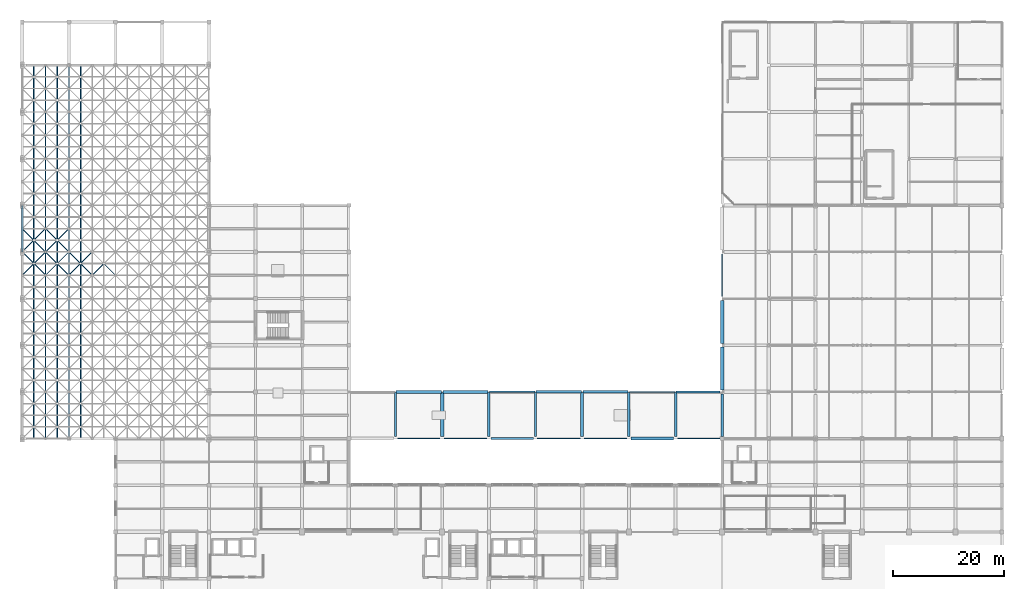
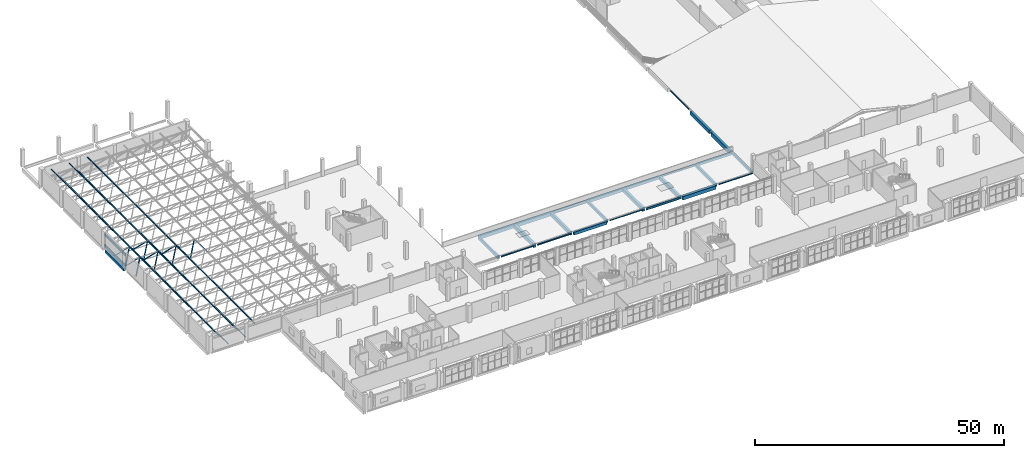
# One storey, part 26 of 64: 28 beams, 27 members.
"""IFC4 building model written with IfcOpenShell, lengths in metres."""

from ifc_helpers import new_model, si_unit, derived_unit, direction, frame, origin, origin_2d, place, context, subcontext, project, spatial, rectangle, hollow_rectangle, hollow_circle, i_section, extrude, material, material_profile, profile_set, type_object, element, save


model = new_model("IFC4")

# Units and contexts
model_context = context("Model", 3, precision=1e-05, world=origin(), true_north=direction((0.0, 1.0)))
body_context = subcontext(model_context, "Body", "Model", "MODEL_VIEW")
ifc_project = project(units=[si_unit("LENGTHUNIT", "METRE"), si_unit("AREAUNIT", "SQUARE_METRE"), si_unit("VOLUMEUNIT", "CUBIC_METRE"), si_unit("PLANEANGLEUNIT", "RADIAN"), si_unit("MASSUNIT", "GRAM", prefix="KILO"), derived_unit("THERMALTRANSMITTANCEUNIT", [(si_unit("POWERUNIT", "WATT"), 1), (si_unit("LENGTHUNIT", "METRE"), -2), (si_unit("THERMODYNAMICTEMPERATUREUNIT", "KELVIN"), -1)])], contexts=[model_context])

# Site, building, storey
site_placement = place(None, origin())
site = spatial("IfcSite", under=ifc_project, at=site_placement, CompositionType="ELEMENT")
building_placement = place(site_placement, origin())
building = spatial("IfcBuilding", under=site, at=building_placement, Name="Barrovel Congress Hotel", CompositionType="ELEMENT")
storey_placement = place(building_placement, frame((0.0, 0.0, 14.10009765625)))
storey = spatial("IfcBuildingStorey", under=building, at=storey_placement, Name="L03", CompositionType="ELEMENT", Elevation=14.10009765625)

# Beams
ifc_material_1 = material(Name="Concrete C40", Category="concrete")
ifc_material_profile_1 = material_profile(ifc_material_1, rectangle(XDim=0.39990234375, YDim=0.60009765625, at=origin_2d()), Name="RC400x600")
ifc_profile_set_1 = profile_set([ifc_material_profile_1], Name="Concrete C40")
beam_type_1 = type_object("IfcBeamType", Name="BM-RC400x600", PredefinedType="BEAM", material=ifc_profile_set_1)
beam_1_placement = place(storey_placement, frame((117.70947265625, 46.199951171875, -0.5400390625), z_axis=(1.0, 0.0, 0.0), x_axis=(0.0, 1.0, 0.0)))
element("IfcBeam", 1, at=beam_1_placement, inside=storey, type_object=beam_type_1, Name="BMX:L03:46.2:117.6-126.0", PredefinedType="BEAM", context=body_context, shape_type="SweptSolid", body=[
    extrude(rectangle(XDim=0.39990234375, YDim=0.60009765625, at=origin_2d()), origin(), (0.0, 0.0, 1.0), 7.9404296875),
])
beam_2_placement = place(storey_placement, frame((126.0, 38.14990234375, -0.5400390625), z_axis=(0.0, 1.0, 0.0), x_axis=(-1.0, 0.0, 0.0)))
element("IfcBeam", 2, at=beam_2_placement, inside=storey, type_object=beam_type_1, Name="BMY:L03:126.0:37.8-46.2", PredefinedType="BEAM", context=body_context, shape_type="SweptSolid", body=[
    extrude(rectangle(XDim=0.39990234375, YDim=0.60009765625, at=origin_2d()), origin(), (0.0, 0.0, 1.0), 7.7001953125),
])
ifc_material_profile_2 = material_profile(ifc_material_1, rectangle(XDim=0.39990234375, YDim=0.699951171875, at=origin_2d()), Name="RC400x700")
ifc_profile_set_2 = profile_set([ifc_material_profile_2], Name="Concrete C40")
beam_type_2 = type_object("IfcBeamType", Name="BM-RC400x700", PredefinedType="BEAM", material=ifc_profile_set_2)
beam_3_placement = place(storey_placement, frame((84.35009765625, 37.800048828125, -0.590087890625), z_axis=(1.0, 0.0, 0.0), x_axis=(0.0, 1.0, 0.0)))
element("IfcBeam", 3, at=beam_3_placement, inside=storey, type_object=beam_type_2, Name="BMX:L03:37.8:84.0-92.4", PredefinedType="BEAM", context=body_context, shape_type="SweptSolid", body=[
    extrude(rectangle(XDim=0.39990234375, YDim=0.699951171875, at=origin_2d()), origin(), (0.0, 0.0, 1.0), 7.699951171875),
])
for number, where, z_axis, x_axis, name in (
    (4, (67.199951171875, 38.14990234375, -0.590087890625), (0.0, 1.0, 0.0), (-1.0, 0.0, 0.0), "BMY:L03:67.2:37.8-46.2"),
    (5, (92.39990234375, 38.14990234375, -0.590087890625), (0.0, 1.0, 0.0), (-1.0, 0.0, 0.0), "BMY:L03:92.4:37.8-46.2"),
):
    element("IfcBeam", number, at=place(storey_placement, frame(where, z_axis=z_axis, x_axis=x_axis)), inside=storey, type_object=beam_type_2, Name=name, PredefinedType="BEAM", context=body_context, shape_type="SweptSolid", body=[
        extrude(rectangle(XDim=0.39990234375, YDim=0.699951171875, at=origin_2d()), origin(), (0.0, 0.0, 1.0), 7.940673828125),
    ])
ifc_material_profile_3 = material_profile(ifc_material_1, rectangle(XDim=0.449951171875, YDim=0.64990234375, at=origin_2d()), Name="RC450x650")
ifc_profile_set_3 = profile_set([ifc_material_profile_3], Name="Concrete C40")
beam_type_3 = type_object("IfcBeamType", Name="BM-RC450x650", PredefinedType="BEAM", material=ifc_profile_set_3)
beam_4_placement = place(storey_placement, frame((100.909423828125, 46.199951171875, -0.565185546875), z_axis=(1.0, 0.0, 0.0), x_axis=(0.0, 1.0, 0.0)))
element("IfcBeam", 6, at=beam_4_placement, inside=storey, type_object=beam_type_3, Name="BMX:L03:46.2:100.8-109.2", PredefinedType="BEAM", context=body_context, shape_type="SweptSolid", body=[
    extrude(rectangle(XDim=0.449951171875, YDim=0.64990234375, at=origin_2d()), origin(), (0.0, 0.0, 1.0), 8.18115234375),
])
beam_5_placement = place(storey_placement, frame((0.0, 71.85009765625, -0.565185546875), z_axis=(0.0, 1.0, 0.0), x_axis=(-1.0, 0.0, 0.0)))
element("IfcBeam", 7, at=beam_5_placement, inside=storey, type_object=beam_type_3, Name="BMY:L03:0.0:71.4-79.8", PredefinedType="BEAM", context=body_context, shape_type="SweptSolid", body=[
    extrude(rectangle(XDim=0.449951171875, YDim=0.64990234375, at=origin_2d()), origin(), (0.0, 0.0, 1.0), 7.5),
])
ifc_material_profile_4 = material_profile(ifc_material_1, rectangle(XDim=0.449951171875, YDim=0.75, at=origin_2d()), Name="RC450x750")
ifc_profile_set_4 = profile_set([ifc_material_profile_4], Name="Concrete C40")
beam_type_4 = type_object("IfcBeamType", Name="BM-RC450x750", PredefinedType="BEAM", material=ifc_profile_set_4)
beam_6_placement = place(storey_placement, frame((92.509521484375, 46.199951171875, -0.614990234375), z_axis=(1.0, 0.0, 0.0), x_axis=(0.0, 1.0, 0.0)))
element("IfcBeam", 8, at=beam_6_placement, inside=storey, type_object=beam_type_4, Name="BMX:L03:46.2:92.4-100.8", PredefinedType="BEAM", context=body_context, shape_type="SweptSolid", body=[
    extrude(rectangle(XDim=0.449951171875, YDim=0.75, at=origin_2d()), origin(), (0.0, 0.0, 1.0), 8.180908203125),
])
beam_7_placement = place(storey_placement, frame((117.60009765625, 38.14990234375, -0.614990234375), z_axis=(0.0, 1.0, 0.0), x_axis=(-1.0, 0.0, 0.0)))
element("IfcBeam", 9, at=beam_7_placement, inside=storey, type_object=beam_type_4, Name="BMY:L03:117.6:37.8-46.2", PredefinedType="BEAM", context=body_context, shape_type="SweptSolid", body=[
    extrude(rectangle(XDim=0.449951171875, YDim=0.75, at=origin_2d()), origin(), (0.0, 0.0, 1.0), 7.940673828125),
])
ifc_material_profile_5 = material_profile(ifc_material_1, rectangle(XDim=0.5, YDim=0.85009765625, at=origin_2d()), Name="RC500x850")
ifc_profile_set_5 = profile_set([ifc_material_profile_5], Name="Concrete C40")
beam_type_5 = type_object("IfcBeamType", Name="BM-RC500x850", PredefinedType="BEAM", material=ifc_profile_set_5)
beam_8_placement = place(storey_placement, frame((75.70947265625, 46.199951171875, -0.6650390625), z_axis=(1.0, 0.0, 0.0), x_axis=(0.0, 1.0, 0.0)))
element("IfcBeam", 10, at=beam_8_placement, inside=storey, type_object=beam_type_5, Name="BMX:L03:46.2:75.6-84.0", PredefinedType="BEAM", context=body_context, shape_type="SweptSolid", body=[
    extrude(rectangle(XDim=0.5, YDim=0.85009765625, at=origin_2d()), origin(), (0.0, 0.0, 1.0), 8.180908203125),
])
for number, where, z_axis, x_axis, name in (
    (11, (84.0, 38.14990234375, -0.6650390625), (0.0, 1.0, 0.0), (-1.0, 0.0, 0.0), "BMY:L03:84.0:37.8-46.2"),
    (12, (109.199951171875, 38.14990234375, -0.6650390625), (0.0, 1.0, 0.0), (-1.0, 0.0, 0.0), "BMY:L03:109.2:37.8-46.2"),
):
    element("IfcBeam", number, at=place(storey_placement, frame(where, z_axis=z_axis, x_axis=x_axis)), inside=storey, type_object=beam_type_5, Name=name, PredefinedType="BEAM", context=body_context, shape_type="SweptSolid", body=[
        extrude(rectangle(XDim=0.5, YDim=0.85009765625, at=origin_2d()), origin(), (0.0, 0.0, 1.0), 7.940673828125),
    ])
ifc_material_profile_6 = material_profile(ifc_material_1, rectangle(XDim=0.550048828125, YDim=0.800048828125, at=origin_2d()), Name="RC550x800")
ifc_profile_set_6 = profile_set([ifc_material_profile_6], Name="Concrete C40")
beam_type_6 = type_object("IfcBeamType", Name="BM-RC550x800", PredefinedType="BEAM", material=ifc_profile_set_6)
beam_9_placement = place(storey_placement, frame((67.3095703125, 46.199951171875, -0.64013671875), z_axis=(1.0, 0.0, 0.0), x_axis=(0.0, 1.0, 0.0)))
element("IfcBeam", 13, at=beam_9_placement, inside=storey, type_object=beam_type_6, Name="BMX:L03:46.2:67.2-75.6", PredefinedType="BEAM", context=body_context, shape_type="SweptSolid", body=[
    extrude(rectangle(XDim=0.550048828125, YDim=0.800048828125, at=origin_2d()), origin(), (0.0, 0.0, 1.0), 8.180908203125),
])
ifc_material_profile_7 = material_profile(ifc_material_1, rectangle(XDim=0.550048828125, YDim=0.89990234375, at=origin_2d()), Name="RC550x900")
ifc_profile_set_7 = profile_set([ifc_material_profile_7], Name="Concrete C40")
beam_type_7 = type_object("IfcBeamType", Name="BM-RC550x900", PredefinedType="BEAM", material=ifc_profile_set_7)
beam_10_placement = place(storey_placement, frame((100.800048828125, 38.14990234375, -0.690185546875), z_axis=(0.0, 1.0, 0.0), x_axis=(-1.0, 0.0, 0.0)))
element("IfcBeam", 14, at=beam_10_placement, inside=storey, type_object=beam_type_7, Name="BMY:L03:100.8:37.8-46.2", PredefinedType="BEAM", context=body_context, shape_type="SweptSolid", body=[
    extrude(rectangle(XDim=0.550048828125, YDim=0.89990234375, at=origin_2d()), origin(), (0.0, 0.0, 1.0), 7.940673828125),
])
ifc_material_profile_8 = material_profile(ifc_material_1, rectangle(XDim=0.60009765625, YDim=0.85009765625, at=origin_2d()), Name="RC600x850")
ifc_profile_set_8 = profile_set([ifc_material_profile_8], Name="Concrete C40")
beam_type_8 = type_object("IfcBeamType", Name="BM-RC600x850", PredefinedType="BEAM", material=ifc_profile_set_8)
for number, where, z_axis, x_axis, name in (
    (15, (109.550048828125, 37.800048828125, -0.6650390625), (1.0, 0.0, 0.0), (0.0, 1.0, 0.0), "BMX:L03:37.8:109.2-117.6"),
    (16, (126.0, 54.949951171875, -0.6650390625), (0.0, 1.0, 0.0), (-1.0, 0.0, 0.0), "BMY:L03:126.0:54.6-63.0"),
):
    element("IfcBeam", number, at=place(storey_placement, frame(where, z_axis=z_axis, x_axis=x_axis)), inside=storey, type_object=beam_type_8, Name=name, PredefinedType="BEAM", context=body_context, shape_type="SweptSolid", body=[
        extrude(rectangle(XDim=0.60009765625, YDim=0.85009765625, at=origin_2d()), origin(), (0.0, 0.0, 1.0), 7.699951171875),
    ])
ifc_material_profile_9 = material_profile(ifc_material_1, rectangle(XDim=0.60009765625, YDim=0.949951171875, at=origin_2d()), Name="RC600x950")
ifc_profile_set_9 = profile_set([ifc_material_profile_9], Name="Concrete C40")
beam_type_9 = type_object("IfcBeamType", Name="BM-RC600x950", PredefinedType="BEAM", material=ifc_profile_set_9)
beam_11_placement = place(storey_placement, frame((75.60009765625, 38.14990234375, -0.715087890625), z_axis=(0.0, 1.0, 0.0), x_axis=(-1.0, 0.0, 0.0)))
element("IfcBeam", 17, at=beam_11_placement, inside=storey, type_object=beam_type_9, Name="BMY:L03:75.6:37.8-46.2", PredefinedType="BEAM", context=body_context, shape_type="SweptSolid", body=[
    extrude(rectangle(XDim=0.60009765625, YDim=0.949951171875, at=origin_2d()), origin(), (0.0, 0.0, 1.0), 7.940673828125),
])
beam_12_placement = place(storey_placement, frame((126.0, 46.550048828125, -0.715087890625), z_axis=(0.0, 1.0, 0.0), x_axis=(-1.0, 0.0, 0.0)))
element("IfcBeam", 18, at=beam_12_placement, inside=storey, type_object=beam_type_9, Name="BMY:L03:126.0:46.2-54.6", PredefinedType="BEAM", context=body_context, shape_type="SweptSolid", body=[
    extrude(rectangle(XDim=0.60009765625, YDim=0.949951171875, at=origin_2d()), origin(), (0.0, 0.0, 1.0), 7.699951171875),
])

# Members
ifc_material_2 = material(Name="Steel ASTM A500 Grade C", Category="steel")
ifc_material_profile_10 = material_profile(ifc_material_2, hollow_circle(Radius=0.084228515625, WallThickness=0.006591796875, at=origin_2d()), Name="CHS168.3x7.1")
ifc_profile_set_10 = profile_set([ifc_material_profile_10], Name="Steel ASTM A500 Grade C")
member_type_1 = type_object("IfcMemberType", Name="MEM-CHS168.3x7.1", PredefinedType="BRACE", material=ifc_profile_set_10)
member_1_placement = place(storey_placement, frame((4.199951171875, 71.39990234375, 0.599853515625), z_axis=(0.527601167383, 0.527601167383, 0.665788266908), x_axis=(-0.707106781187, 0.707106781187, 0.0)))
element("IfcMember", 19, at=member_1_placement, inside=storey, type_object=member_type_1, Name="Space Frame Roof Truss Diagonal 1-8-1", PredefinedType="BRACE", context=body_context, shape_type="SweptSolid", body=[
    extrude(hollow_circle(Radius=0.084228515625, WallThickness=0.006591796875, at=origin_2d()), origin(), (0.0, 0.0, 1.0), 3.98046875),
])
member_2_placement = place(storey_placement, frame((8.39990234375, 71.39990234375, 0.599853515625), z_axis=(-0.527556903839, 0.527618240532, 0.665809811786), x_axis=(-0.707147883682, -0.707065676302, 0.0)))
element("IfcMember", 20, at=member_2_placement, inside=storey, type_object=member_type_1, Name="Space Frame Roof Truss Diagonal 1-8-2", PredefinedType="BRACE", context=body_context, shape_type="SweptSolid", body=[
    extrude(hollow_circle(Radius=0.084228515625, WallThickness=0.006591796875, at=origin_2d()), origin(), (0.0, 0.0, 1.0), 3.980224609375),
])
member_3_placement = place(storey_placement, frame((4.199951171875, 75.60009765625, 0.599853515625), z_axis=(0.527601167383, -0.527601167383, 0.665788266908), x_axis=(0.707106781187, 0.707106781187, 0.0)))
element("IfcMember", 21, at=member_3_placement, inside=storey, type_object=member_type_1, Name="Space Frame Roof Truss Diagonal 1-8-3", PredefinedType="BRACE", context=body_context, shape_type="SweptSolid", body=[
    extrude(hollow_circle(Radius=0.084228515625, WallThickness=0.006591796875, at=origin_2d()), origin(), (0.0, 0.0, 1.0), 3.98046875),
])
member_4_placement = place(storey_placement, frame((8.39990234375, 75.60009765625, 0.599853515625), z_axis=(-0.527556903839, -0.527618240532, 0.665809811786), x_axis=(0.707147883682, -0.707065676302, 0.0)))
element("IfcMember", 22, at=member_4_placement, inside=storey, type_object=member_type_1, Name="Space Frame Roof Truss Diagonal 1-8-4", PredefinedType="BRACE", context=body_context, shape_type="SweptSolid", body=[
    extrude(hollow_circle(Radius=0.084228515625, WallThickness=0.006591796875, at=origin_2d()), origin(), (0.0, 0.0, 1.0), 3.980224609375),
])
for number, where, z_axis, x_axis, name in (
    (23, (8.39990234375, 67.199951171875, 0.599853515625), (0.527601167383, 0.527601167383, 0.665788266908), (-0.707106781187, 0.707106781187, 0.0), "Space Frame Roof Truss Diagonal 2-7-1"),
    (24, (12.60009765625, 67.199951171875, 0.599853515625), (-0.527601167383, 0.527601167383, 0.665788266908), (-0.707106781187, -0.707106781187, 0.0), "Space Frame Roof Truss Diagonal 2-7-2"),
):
    element("IfcMember", number, at=place(storey_placement, frame(where, z_axis=z_axis, x_axis=x_axis)), inside=storey, type_object=member_type_1, Name=name, PredefinedType="BRACE", context=body_context, shape_type="SweptSolid", body=[
        extrude(hollow_circle(Radius=0.084228515625, WallThickness=0.006591796875, at=origin_2d()), origin(), (0.0, 0.0, 1.0), 3.98046875),
    ])
for number, where, z_axis, x_axis, name in (
    (25, (8.39990234375, 71.39990234375, 0.599853515625), (0.527618240532, -0.527556903839, 0.665809811786), (0.707065676302, 0.707147883682, 0.0), "Space Frame Roof Truss Diagonal 2-7-3"),
    (26, (12.60009765625, 71.39990234375, 0.599853515625), (-0.527618240532, -0.527556903839, 0.665809811786), (0.707065676302, -0.707147883682, 0.0), "Space Frame Roof Truss Diagonal 2-7-4"),
):
    element("IfcMember", number, at=place(storey_placement, frame(where, z_axis=z_axis, x_axis=x_axis)), inside=storey, type_object=member_type_1, Name=name, PredefinedType="BRACE", context=body_context, shape_type="SweptSolid", body=[
        extrude(hollow_circle(Radius=0.084228515625, WallThickness=0.006591796875, at=origin_2d()), origin(), (0.0, 0.0, 1.0), 3.980224609375),
    ])
ifc_material_profile_11 = material_profile(ifc_material_2, hollow_circle(Radius=0.084228515625, WallThickness=0.0087890625, at=origin_2d()), Name="CHS168.3x9.5")
ifc_profile_set_11 = profile_set([ifc_material_profile_11], Name="Steel ASTM A500 Grade C")
member_type_2 = type_object("IfcMemberType", Name="MEM-CHS168.3x9.5", PredefinedType="BRACE", material=ifc_profile_set_11)
member_5_placement = place(storey_placement, frame((4.199951171875, 67.199951171875, 0.599853515625), z_axis=(0.527601167383, 0.527601167383, 0.665788266908), x_axis=(-0.707106781187, 0.707106781187, 0.0)))
element("IfcMember", 27, at=member_5_placement, inside=storey, type_object=member_type_2, Name="Space Frame Roof Truss Diagonal 1-7-1", PredefinedType="BRACE", context=body_context, shape_type="SweptSolid", body=[
    extrude(hollow_circle(Radius=0.084228515625, WallThickness=0.0087890625, at=origin_2d()), origin(), (0.0, 0.0, 1.0), 3.98046875),
])
for number, where, z_axis, x_axis, name in (
    (28, (8.39990234375, 67.199951171875, 0.599853515625), (-0.527556903839, 0.527618240532, 0.665809811786), (-0.707147883682, -0.707065676302, 0.0), "Space Frame Roof Truss Diagonal 1-7-2"),
    (29, (4.199951171875, 71.39990234375, 0.599853515625), (0.527618240532, -0.527556903839, 0.665809811786), (0.707065676302, 0.707147883682, 0.0), "Space Frame Roof Truss Diagonal 1-7-3"),
    (30, (8.39990234375, 71.39990234375, 0.599853515625), (-0.527573976661, -0.527573976661, 0.665831358755), (0.707106781187, -0.707106781187, 0.0), "Space Frame Roof Truss Diagonal 1-7-4"),
    (31, (12.60009765625, 67.199951171875, 0.599853515625), (0.527556903839, 0.527618240532, 0.665809811786), (-0.707147883682, 0.707065676302, 0.0), "Space Frame Roof Truss Diagonal 3-7-1"),
):
    element("IfcMember", number, at=place(storey_placement, frame(where, z_axis=z_axis, x_axis=x_axis)), inside=storey, type_object=member_type_2, Name=name, PredefinedType="BRACE", context=body_context, shape_type="SweptSolid", body=[
        extrude(hollow_circle(Radius=0.084228515625, WallThickness=0.0087890625, at=origin_2d()), origin(), (0.0, 0.0, 1.0), 3.980224609375),
    ])
member_6_placement = place(storey_placement, frame((16.800048828125, 67.199951171875, 0.599853515625), z_axis=(-0.527601167383, 0.527601167383, 0.665788266908), x_axis=(-0.707106781187, -0.707106781187, 0.0)))
element("IfcMember", 32, at=member_6_placement, inside=storey, type_object=member_type_2, Name="Space Frame Roof Truss Diagonal 3-7-2", PredefinedType="BRACE", context=body_context, shape_type="SweptSolid", body=[
    extrude(hollow_circle(Radius=0.084228515625, WallThickness=0.0087890625, at=origin_2d()), origin(), (0.0, 0.0, 1.0), 3.98046875),
])
ifc_material_profile_12 = material_profile(ifc_material_2, hollow_circle(Radius=0.096923828125, WallThickness=0.0087890625, at=origin_2d()), Name="CHS193.7x9.5")
ifc_profile_set_12 = profile_set([ifc_material_profile_12], Name="Steel ASTM A500 Grade C")
member_type_3 = type_object("IfcMemberType", Name="MEM-CHS193.7x9.5", PredefinedType="BRACE", material=ifc_profile_set_12)
member_7_placement = place(storey_placement, frame((0.0, 67.199951171875, 0.599853515625), z_axis=(0.527601167383, 0.527601167383, 0.665788266908), x_axis=(-0.707106781187, 0.707106781187, 0.0)))
element("IfcMember", 33, at=member_7_placement, inside=storey, type_object=member_type_3, Name="Space Frame Roof Truss Diagonal 0-7-1", PredefinedType="BRACE", context=body_context, shape_type="SweptSolid", body=[
    extrude(hollow_circle(Radius=0.096923828125, WallThickness=0.0087890625, at=origin_2d()), origin(), (0.0, 0.0, 1.0), 3.98046875),
])
for number, where, z_axis, x_axis, name in (
    (34, (4.199951171875, 67.199951171875, 0.599853515625), (-0.527556903839, 0.527618240532, 0.665809811786), (-0.707147883682, -0.707065676302, 0.0), "Space Frame Roof Truss Diagonal 0-7-2"),
    (35, (0.0, 71.39990234375, 0.599853515625), (0.527618240532, -0.527556903839, 0.665809811786), (0.707065676302, 0.707147883682, 0.0), "Space Frame Roof Truss Diagonal 0-7-3"),
    (36, (4.199951171875, 71.39990234375, 0.599853515625), (-0.527573976661, -0.527573976661, 0.665831358755), (0.707106781187, -0.707106781187, 0.0), "Space Frame Roof Truss Diagonal 0-7-4"),
):
    element("IfcMember", number, at=place(storey_placement, frame(where, z_axis=z_axis, x_axis=x_axis)), inside=storey, type_object=member_type_3, Name=name, PredefinedType="BRACE", context=body_context, shape_type="SweptSolid", body=[
        extrude(hollow_circle(Radius=0.096923828125, WallThickness=0.0087890625, at=origin_2d()), origin(), (0.0, 0.0, 1.0), 3.980224609375),
    ])
member_8_placement = place(storey_placement, frame((0.0, 71.39990234375, 0.599853515625), z_axis=(0.527601167383, 0.527601167383, 0.665788266908), x_axis=(-0.707106781187, 0.707106781187, 0.0)))
element("IfcMember", 37, at=member_8_placement, inside=storey, type_object=member_type_3, Name="Space Frame Roof Truss Diagonal 0-8-1", PredefinedType="BRACE", context=body_context, shape_type="SweptSolid", body=[
    extrude(hollow_circle(Radius=0.096923828125, WallThickness=0.0087890625, at=origin_2d()), origin(), (0.0, 0.0, 1.0), 3.98046875),
])
member_9_placement = place(storey_placement, frame((4.199951171875, 71.39990234375, 0.599853515625), z_axis=(-0.527556903839, 0.527618240532, 0.665809811786), x_axis=(-0.707147883682, -0.707065676302, 0.0)))
element("IfcMember", 38, at=member_9_placement, inside=storey, type_object=member_type_3, Name="Space Frame Roof Truss Diagonal 0-8-2", PredefinedType="BRACE", context=body_context, shape_type="SweptSolid", body=[
    extrude(hollow_circle(Radius=0.096923828125, WallThickness=0.0087890625, at=origin_2d()), origin(), (0.0, 0.0, 1.0), 3.980224609375),
])
member_10_placement = place(storey_placement, frame((0.0, 75.60009765625, 0.599853515625), z_axis=(0.527601167383, -0.527601167383, 0.665788266908), x_axis=(0.707106781187, 0.707106781187, 0.0)))
element("IfcMember", 39, at=member_10_placement, inside=storey, type_object=member_type_3, Name="Space Frame Roof Truss Diagonal 0-8-3", PredefinedType="BRACE", context=body_context, shape_type="SweptSolid", body=[
    extrude(hollow_circle(Radius=0.096923828125, WallThickness=0.0087890625, at=origin_2d()), origin(), (0.0, 0.0, 1.0), 3.98046875),
])
member_11_placement = place(storey_placement, frame((4.199951171875, 75.60009765625, 0.599853515625), z_axis=(-0.527556903839, -0.527618240532, 0.665809811786), x_axis=(0.707147883682, -0.707065676302, 0.0)))
element("IfcMember", 40, at=member_11_placement, inside=storey, type_object=member_type_3, Name="Space Frame Roof Truss Diagonal 0-8-4", PredefinedType="BRACE", context=body_context, shape_type="SweptSolid", body=[
    extrude(hollow_circle(Radius=0.096923828125, WallThickness=0.0087890625, at=origin_2d()), origin(), (0.0, 0.0, 1.0), 3.980224609375),
])
ifc_material_profile_13 = material_profile(ifc_material_2, hollow_circle(Radius=0.109619140625, WallThickness=0.01171875, at=origin_2d()), Name="CHS219.1x12.7")
ifc_profile_set_13 = profile_set([ifc_material_profile_13], Name="Steel ASTM A500 Grade C")
member_type_4 = type_object("IfcMemberType", Name="MEM-CHS219.1x12.7", PredefinedType="CHORD", material=ifc_profile_set_13)
member_12_placement = place(storey_placement, frame((8.39990234375, 37.800048828125, 0.599853515625), z_axis=(0.0, 1.0, 0.0), x_axis=(-1.0, 0.0, 0.0)))
element("IfcMember", 41, at=member_12_placement, inside=storey, type_object=member_type_4, Name="Space Frame Roof Truss Bottom Chord Y 2", PredefinedType="CHORD", context=body_context, shape_type="SweptSolid", body=[
    extrude(hollow_circle(Radius=0.109619140625, WallThickness=0.01171875, at=origin_2d()), origin(), (0.0, 0.0, 1.0), 67.199951171875),
])
ifc_material_profile_14 = material_profile(ifc_material_2, hollow_circle(Radius=0.109619140625, WallThickness=0.0087890625, at=origin_2d()), Name="CHS219.1x9.5")
ifc_profile_set_14 = profile_set([ifc_material_profile_14], Name="Steel ASTM A500 Grade C")
member_type_5 = type_object("IfcMemberType", Name="MEM-CHS219.1x9.5", PredefinedType="CHORD", material=ifc_profile_set_14)
member_13_placement = place(storey_placement, frame((4.199951171875, 37.800048828125, 0.599853515625), z_axis=(0.0, 1.0, 0.0), x_axis=(-1.0, 0.0, 0.0)))
element("IfcMember", 42, at=member_13_placement, inside=storey, type_object=member_type_5, Name="Space Frame Roof Truss Bottom Chord Y 1", PredefinedType="CHORD", context=body_context, shape_type="SweptSolid", body=[
    extrude(hollow_circle(Radius=0.109619140625, WallThickness=0.0087890625, at=origin_2d()), origin(), (0.0, 0.0, 1.0), 67.199951171875),
])
ifc_material_profile_15 = material_profile(ifc_material_2, hollow_circle(Radius=0.122314453125, WallThickness=0.01171875, at=origin_2d()), Name="CHS244.5x12.7")
ifc_profile_set_15 = profile_set([ifc_material_profile_15], Name="Steel ASTM A500 Grade C")
member_type_6 = type_object("IfcMemberType", Name="MEM-CHS244.5x12.7", PredefinedType="CHORD", material=ifc_profile_set_15)
for number, where, z_axis, x_axis, name in (
    (43, (2.10009765625, 37.800048828125, 3.25), (0.0, 1.0, 0.0), (-1.0, 0.0, 0.0), "Space Frame Roof Truss Top Chord Y 0"),
    (44, (6.300048828125, 37.800048828125, 3.25), (0.0, 1.0, 0.0), (-1.0, 0.0, 0.0), "Space Frame Roof Truss Top Chord Y 1"),
):
    element("IfcMember", number, at=place(storey_placement, frame(where, z_axis=z_axis, x_axis=x_axis)), inside=storey, type_object=member_type_6, Name=name, PredefinedType="CHORD", context=body_context, shape_type="SweptSolid", body=[
        extrude(hollow_circle(Radius=0.122314453125, WallThickness=0.01171875, at=origin_2d()), origin(), (0.0, 0.0, 1.0), 67.199951171875),
    ])
ifc_material_profile_16 = material_profile(ifc_material_2, hollow_circle(Radius=0.136474609375, WallThickness=0.01171875, at=origin_2d()), Name="CHS273.1x12.7")
ifc_profile_set_16 = profile_set([ifc_material_profile_16], Name="Steel ASTM A500 Grade C")
member_type_7 = type_object("IfcMemberType", Name="MEM-CHS273.1x12.7", PredefinedType="CHORD", material=ifc_profile_set_16)
member_14_placement = place(storey_placement, frame((10.5, 37.800048828125, 3.25), z_axis=(0.0, 1.0, 0.0), x_axis=(-1.0, 0.0, 0.0)))
element("IfcMember", 45, at=member_14_placement, inside=storey, type_object=member_type_7, Name="Space Frame Roof Truss Top Chord Y 2", PredefinedType="CHORD", context=body_context, shape_type="SweptSolid", body=[
    extrude(hollow_circle(Radius=0.136474609375, WallThickness=0.01171875, at=origin_2d()), origin(), (0.0, 0.0, 1.0), 67.199951171875),
])

# Beams
ifc_material_profile_17 = material_profile(ifc_material_2, hollow_rectangle(XDim=0.15234375, YDim=0.25390625, WallThickness=0.0087890625, InnerFilletRadius=0.0087890625, OuterFilletRadius=0.017578125, at=origin_2d()), Name="HSS254x152x9.5")
ifc_profile_set_17 = profile_set([ifc_material_profile_17], Name="Steel ASTM A500 Grade C")
beam_type_10 = type_object("IfcBeamType", Name="SBM-HSS254x152x9.5", PredefinedType="SPANDREL", material=ifc_profile_set_17)
beam_13_placement = place(storey_placement, frame((92.75, 37.800048828125, -0.3671875), z_axis=(1.0, 0.0, 0.0), x_axis=(0.0, 1.0, 0.0)))
element("IfcBeam", 46, at=beam_13_placement, inside=storey, type_object=beam_type_10, Name="BMX:L03:37.8:92.4-100.8", PredefinedType="SPANDREL", context=body_context, shape_type="SweptSolid", body=[
    extrude(hollow_rectangle(XDim=0.15234375, YDim=0.25390625, WallThickness=0.0087890625, InnerFilletRadius=0.0087890625, OuterFilletRadius=0.017578125, at=origin_2d()), origin(), (0.0, 0.0, 1.0), 7.699951171875),
])
ifc_material_3 = material(Name="Steel ASTM A992 Grade 50", Category="steel")
ifc_material_profile_18 = material_profile(ifc_material_3, i_section(OverallWidth=0.201904296875, OverallDepth=0.2470703125, WebThickness=0.00732421875, FlangeThickness=0.010986328125, FilletRadius=0.011962890625, at=origin_2d()), Name="W250x49")
ifc_profile_set_18 = profile_set([ifc_material_profile_18], Name="Steel ASTM A992 Grade 50")
beam_type_11 = type_object("IfcBeamType", Name="SBM-W250x49", PredefinedType="SPANDREL", material=ifc_profile_set_18)
for number, where, z_axis, x_axis, name in (
    (47, (117.949951171875, 37.800048828125, -0.363525390625), (1.0, 0.0, 0.0), (0.0, 1.0, 0.0), "BMX:L03:37.8:117.6-126.0"),
    (48, (126.0, 63.35009765625, -0.363525390625), (0.0, 1.0, 0.0), (-1.0, 0.0, 0.0), "BMY:L03:126.0:63.0-71.4"),
):
    element("IfcBeam", number, at=place(storey_placement, frame(where, z_axis=z_axis, x_axis=x_axis)), inside=storey, type_object=beam_type_11, Name=name, PredefinedType="SPANDREL", context=body_context, shape_type="SweptSolid", body=[
        extrude(i_section(OverallWidth=0.201904296875, OverallDepth=0.2470703125, WebThickness=0.00732421875, FlangeThickness=0.010986328125, FilletRadius=0.011962890625, at=origin_2d()), origin(), (0.0, 0.0, 1.0), 7.699951171875),
    ])
ifc_material_profile_19 = material_profile(ifc_material_3, i_section(OverallWidth=0.205078125, OverallDepth=0.31005859375, WebThickness=0.009521484375, FlangeThickness=0.016357421875, FilletRadius=0.012939453125, at=origin_2d()), Name="W310x74")
ifc_profile_set_19 = profile_set([ifc_material_profile_19], Name="Steel ASTM A992 Grade 50")
beam_type_12 = type_object("IfcBeamType", Name="SBM-W310x74", PredefinedType="SPANDREL", material=ifc_profile_set_19)
beam_14_placement = place(storey_placement, frame((67.550048828125, 37.800048828125, -0.39501953125), z_axis=(1.0, 0.0, 0.0), x_axis=(0.0, 1.0, 0.0)))
element("IfcBeam", 49, at=beam_14_placement, inside=storey, type_object=beam_type_12, Name="BMX:L03:37.8:67.2-75.6", PredefinedType="SPANDREL", context=body_context, shape_type="SweptSolid", body=[
    extrude(i_section(OverallWidth=0.205078125, OverallDepth=0.31005859375, WebThickness=0.009521484375, FlangeThickness=0.016357421875, FilletRadius=0.012939453125, at=origin_2d()), origin(), (0.0, 0.0, 1.0), 7.699951171875),
])
ifc_material_profile_20 = material_profile(ifc_material_3, i_section(OverallWidth=0.205078125, OverallDepth=0.35400390625, WebThickness=0.009521484375, FlangeThickness=0.016845703125, FilletRadius=0.012939453125, at=origin_2d()), Name="W360x79")
ifc_profile_set_20 = profile_set([ifc_material_profile_20], Name="Steel ASTM A992 Grade 50")
beam_type_13 = type_object("IfcBeamType", Name="SBM-W360x79", PredefinedType="BEAM", material=ifc_profile_set_20)
beam_15_placement = place(storey_placement, frame((75.949951171875, 37.800048828125, -0.4169921875), z_axis=(1.0, 0.0, 0.0), x_axis=(0.0, 1.0, 0.0)))
element("IfcBeam", 50, at=beam_15_placement, inside=storey, type_object=beam_type_13, Name="BMX:L03:37.8:75.6-84.0", PredefinedType="BEAM", context=body_context, shape_type="SweptSolid", body=[
    extrude(i_section(OverallWidth=0.205078125, OverallDepth=0.35400390625, WebThickness=0.009521484375, FlangeThickness=0.016845703125, FilletRadius=0.012939453125, at=origin_2d()), origin(), (0.0, 0.0, 1.0), 7.699951171875),
])
ifc_material_profile_21 = material_profile(ifc_material_3, i_section(OverallWidth=0.19091796875, OverallDepth=0.4599609375, WebThickness=0.010009765625, FlangeThickness=0.01611328125, FilletRadius=0.012939453125, at=origin_2d()), Name="W460x82")
ifc_profile_set_21 = profile_set([ifc_material_profile_21], Name="Steel ASTM A992 Grade 50")
beam_type_14 = type_object("IfcBeamType", Name="SBM-W460x82", PredefinedType="BEAM", material=ifc_profile_set_21)
beam_16_placement = place(storey_placement, frame((109.3095703125, 46.199951171875, -0.47021484375), z_axis=(1.0, 0.0, 0.0), x_axis=(0.0, 1.0, 0.0)))
element("IfcBeam", 51, at=beam_16_placement, inside=storey, type_object=beam_type_14, Name="BMX:L03:46.2:109.2-117.6", PredefinedType="BEAM", context=body_context, shape_type="SweptSolid", body=[
    extrude(i_section(OverallWidth=0.19091796875, OverallDepth=0.4599609375, WebThickness=0.010009765625, FlangeThickness=0.01611328125, FilletRadius=0.012939453125, at=origin_2d()), origin(), (0.0, 0.0, 1.0), 8.180908203125),
])
ifc_material_profile_22 = material_profile(ifc_material_3, i_section(OverallWidth=0.208984375, OverallDepth=0.532958984375, WebThickness=0.01025390625, FlangeThickness=0.015625, FilletRadius=0.013916015625, at=origin_2d()), Name="W530x92")
ifc_profile_set_22 = profile_set([ifc_material_profile_22], Name="Steel ASTM A992 Grade 50")
beam_type_15 = type_object("IfcBeamType", Name="SBM-W530x92", PredefinedType="BEAM", material=ifc_profile_set_22)
beam_17_placement = place(storey_placement, frame((101.14990234375, 37.800048828125, -0.506591796875), z_axis=(1.0, 0.0, 0.0), x_axis=(0.0, 1.0, 0.0)))
element("IfcBeam", 52, at=beam_17_placement, inside=storey, type_object=beam_type_15, Name="BMX:L03:37.8:100.8-109.2", PredefinedType="BEAM", context=body_context, shape_type="SweptSolid", body=[
    extrude(i_section(OverallWidth=0.208984375, OverallDepth=0.532958984375, WebThickness=0.01025390625, FlangeThickness=0.015625, FilletRadius=0.013916015625, at=origin_2d()), origin(), (0.0, 0.0, 1.0), 7.7001953125),
])
beam_18_placement = place(storey_placement, frame((0.0, 71.39990234375, 3.25), z_axis=(0.0, 1.0, 0.0), x_axis=(-1.0, 0.0, 0.0)))
element("IfcBeam", 53, at=beam_18_placement, inside=storey, type_object=beam_type_15, Name="Congress Roof Truss Upper Collector 0-5", PredefinedType="BEAM", context=body_context, shape_type="SweptSolid", body=[
    extrude(i_section(OverallWidth=0.208984375, OverallDepth=0.532958984375, WebThickness=0.01025390625, FlangeThickness=0.015625, FilletRadius=0.013916015625, at=origin_2d()), origin(), (0.0, 0.0, 1.0), 8.400146484375),
])
ifc_material_profile_23 = material_profile(ifc_material_3, i_section(OverallWidth=0.22900390625, OverallDepth=0.612060546875, WebThickness=0.011962890625, FlangeThickness=0.01953125, FilletRadius=0.014892578125, at=origin_2d()), Name="W610x125")
ifc_profile_set_23 = profile_set([ifc_material_profile_23], Name="Steel ASTM A992 Grade 50")
beam_type_16 = type_object("IfcBeamType", Name="SBM-W610x125", PredefinedType="BEAM", material=ifc_profile_set_23)
beam_19_placement = place(storey_placement, frame((0.0, 71.39990234375, 0.599853515625), z_axis=(0.0, 1.0, 0.0), x_axis=(-1.0, 0.0, 0.0)))
element("IfcBeam", 54, at=beam_19_placement, inside=storey, type_object=beam_type_16, Name="Congress Roof Truss Collector Beam 0-5", PredefinedType="BEAM", context=body_context, shape_type="SweptSolid", body=[
    extrude(i_section(OverallWidth=0.22900390625, OverallDepth=0.612060546875, WebThickness=0.011962890625, FlangeThickness=0.01953125, FilletRadius=0.014892578125, at=origin_2d()), origin(), (0.0, 0.0, 1.0), 8.400146484375),
])
ifc_material_profile_24 = material_profile(ifc_material_3, i_section(OverallWidth=0.25390625, OverallDepth=0.68408203125, WebThickness=0.012451171875, FlangeThickness=0.01904296875, FilletRadius=0.014892578125, at=origin_2d()), Name="W690x140")
ifc_profile_set_24 = profile_set([ifc_material_profile_24], Name="Steel ASTM A992 Grade 50")
beam_type_17 = type_object("IfcBeamType", Name="SBM-W690x140", PredefinedType="BEAM", material=ifc_profile_set_24)
beam_20_placement = place(storey_placement, frame((84.109619140625, 46.199951171875, -0.58203125), z_axis=(1.0, 0.0, 0.0), x_axis=(0.0, 1.0, 0.0)))
element("IfcBeam", 55, at=beam_20_placement, inside=storey, type_object=beam_type_17, Name="BMX:L03:46.2:84.0-92.4", PredefinedType="BEAM", context=body_context, shape_type="SweptSolid", body=[
    extrude(i_section(OverallWidth=0.25390625, OverallDepth=0.68408203125, WebThickness=0.012451171875, FlangeThickness=0.01904296875, FilletRadius=0.014892578125, at=origin_2d()), origin(), (0.0, 0.0, 1.0), 8.180908203125),
])

save(model, "model.ifc")
